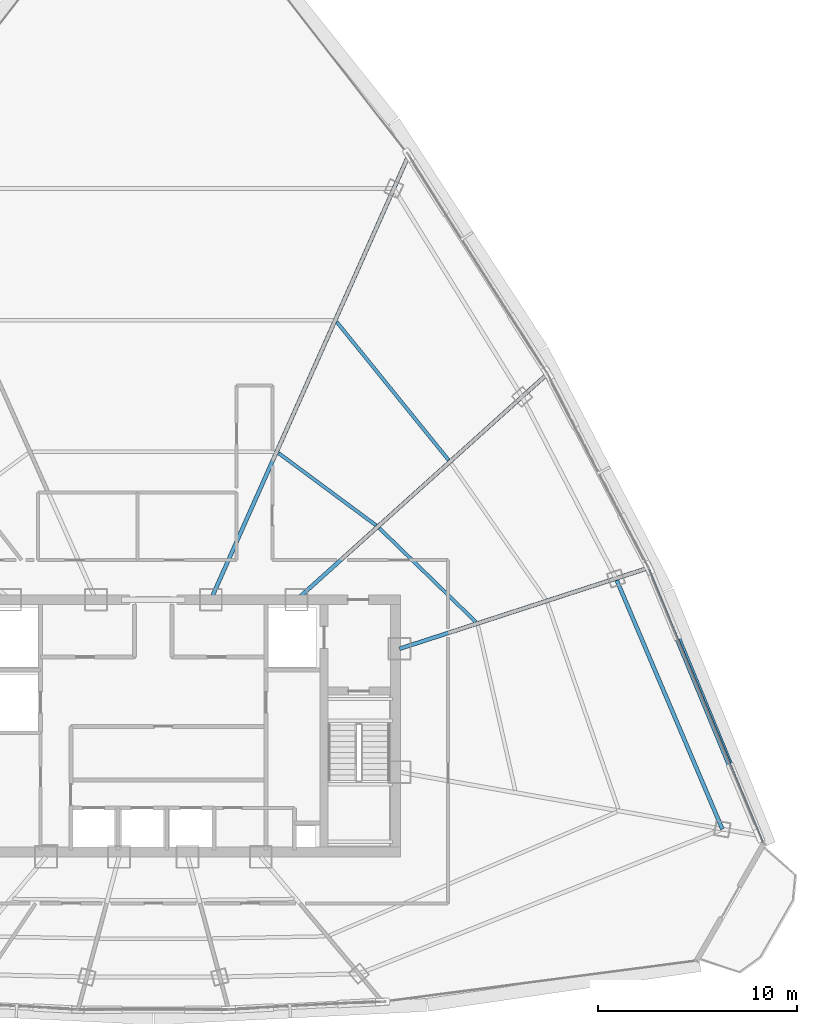
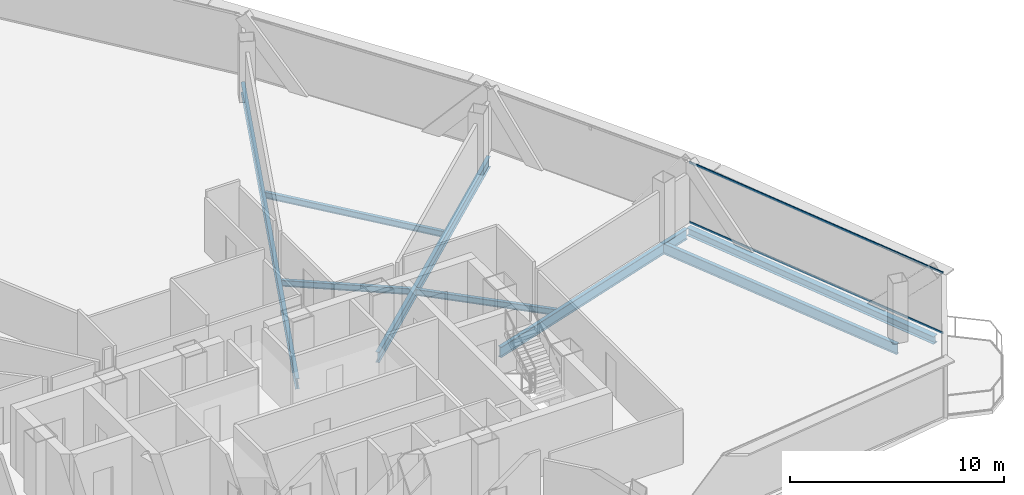
# One storey, part 16 of 35: 8 beams, 2 members, 1 element without a shape of its own.
"""IFC4 building model written with IfcOpenShell, lengths in metres."""

from ifc_helpers import new_model, si_unit, direction, frame, origin, origin_2d, place, context, subcontext, project, spatial, hollow_rectangle, i_section, extrude, source, transform, mapped, material, layer, layer_set, material_profile, profile_set, type_object, element, aggregate, save


model = new_model("IFC4")

# Units and contexts
model_context = context("Model", 3, precision=1e-05, world=origin(), true_north=direction((0.0, 1.0)))
body_context = subcontext(model_context, "Body", "Model", "MODEL_VIEW")
ifc_project = project(units=[si_unit("LENGTHUNIT", "METRE"), si_unit("AREAUNIT", "SQUARE_METRE"), si_unit("VOLUMEUNIT", "CUBIC_METRE"), si_unit("PLANEANGLEUNIT", "RADIAN"), si_unit("MASSUNIT", "GRAM", prefix="KILO"), si_unit("THERMODYNAMICTEMPERATUREUNIT", "KELVIN"), si_unit("POWERUNIT", "WATT")], contexts=[model_context])

# Site, building, storey
site_placement = place(None, origin())
site = spatial("IfcSite", under=ifc_project, at=site_placement, CompositionType="ELEMENT")
building_placement = place(site_placement, origin())
building = spatial("IfcBuilding", under=site, at=building_placement, Name="Yunzhuo Pagoda Commons", CompositionType="ELEMENT")
storey_placement = place(building_placement, frame((0.0, 0.0, 299.93994140625)))
storey = spatial("IfcBuildingStorey", under=building, at=storey_placement, Name="L75", CompositionType="ELEMENT", Elevation=299.93994140625)

# Beams
ifc_material_1 = material(Name="Structural steel Q355B", Category="steel")
ifc_material_profile_1 = material_profile(ifc_material_1, i_section(OverallWidth=0.199951171875, OverallDepth=0.60009765625, WebThickness=0.010986328125, FlangeThickness=0.01708984375, at=origin_2d()), Name="Structural steel Q355B")
ifc_profile_set_1 = profile_set([ifc_material_profile_1], Name="Structural steel Q355B")
beam_type_1 = type_object("IfcBeamType", Name="B-RG3 Beam HN 600x200x11x17", PredefinedType="BEAM", material=ifc_profile_set_1)
shared_shape_1 = source(origin(), body_context, "Body", "SweptSolid", [
    extrude(i_section(OverallWidth=0.199951171875, OverallDepth=0.60009765625, WebThickness=0.010986328125, FlangeThickness=0.01708984375, at=origin_2d()), origin(), (0.0, 0.0, 1.0), 13.715576171875),
])
beam_1_placement = place(storey_placement, frame((76.66162109375, 28.646240234375, -0.56005859375), z_axis=(-0.390733146992, 0.920503996646, 0.0), x_axis=(-0.920503996646, -0.390733146992, 0.0)))
element("IfcBeam", 1, at=beam_1_placement, inside=storey, type_object=beam_type_1, Name="L75 column-ring beam 5", PredefinedType="BEAM", context=body_context, shape_type="MappedRepresentation", body=[
    mapped(shared_shape_1, transform((0.0, 0.0, 0.0), scale=1.0)),
])
ifc_material_profile_2 = material_profile(ifc_material_1, i_section(OverallWidth=0.175048828125, OverallDepth=0.35009765625, WebThickness=0.007080078125, FlangeThickness=0.010986328125, at=origin_2d()), Name="Structural steel Q355B")
ifc_profile_set_2 = profile_set([ifc_material_profile_2], Name="Structural steel Q355B")
beam_type_2 = type_object("IfcBeamType", Name="B-JS2 Joist HN 350x175x7x11", PredefinedType="JOIST", material=ifc_profile_set_2)
shared_shape_2 = source(origin(), body_context, "Body", "SweptSolid", [
    extrude(i_section(OverallWidth=0.175048828125, OverallDepth=0.35009765625, WebThickness=0.007080078125, FlangeThickness=0.010986328125, at=origin_2d()), origin(), (0.0, 0.0, 1.0), 6.767333984375),
])
beam_2_placement = place(storey_placement, frame((64.242431640625, 39.08447265625, -0.43505859375), z_axis=(-0.717207253673, 0.696859925149, 0.0), x_axis=(-0.696859925149, -0.717207253673, 0.0)))
element("IfcBeam", 2, at=beam_2_placement, inside=storey, type_object=beam_type_2, Name="L75 composite ring joist 1.6", PredefinedType="JOIST", context=body_context, shape_type="MappedRepresentation", body=[
    mapped(shared_shape_2, transform((0.0, 0.0, 0.0), scale=1.0)),
])
shared_shape_3 = source(origin(), body_context, "Body", "SweptSolid", [
    extrude(i_section(OverallWidth=0.175048828125, OverallDepth=0.35009765625, WebThickness=0.007080078125, FlangeThickness=0.010986328125, at=origin_2d()), origin(), (0.0, 0.0, 1.0), 6.109619140625),
])
beam_3_placement = place(storey_placement, frame((59.214111328125, 43.948974609375, -0.43505859375), z_axis=(-0.803396474468, 0.595444459888, 0.0), x_axis=(-0.595444459888, -0.803396474468, 0.0)))
element("IfcBeam", 3, at=beam_3_placement, inside=storey, type_object=beam_type_2, Name="L75 composite ring joist 1.7", PredefinedType="JOIST", context=body_context, shape_type="MappedRepresentation", body=[
    mapped(shared_shape_3, transform((0.0, 0.0, 0.0), scale=1.0)),
])
shared_shape_4 = source(origin(), body_context, "Body", "SweptSolid", [
    extrude(i_section(OverallWidth=0.175048828125, OverallDepth=0.35009765625, WebThickness=0.007080078125, FlangeThickness=0.010986328125, at=origin_2d()), origin(), (0.0, 0.0, 1.0), 8.9462890625),
])
beam_4_placement = place(storey_placement, frame((62.867431640625, 47.2412109375, -0.43505859375), z_axis=(-0.629455685791, 0.777036382434, 0.0), x_axis=(-0.777036382434, -0.629455685791, 0.0)))
element("IfcBeam", 4, at=beam_4_placement, inside=storey, type_object=beam_type_2, Name="L75 composite ring joist 2.7", PredefinedType="JOIST", context=body_context, shape_type="MappedRepresentation", body=[
    mapped(shared_shape_4, transform((0.0, 0.0, 0.0), scale=1.0)),
])
shared_shape_5 = source(origin(), body_context, "Body", "SweptSolid", [
    extrude(i_section(OverallWidth=0.199951171875, OverallDepth=0.60009765625, WebThickness=0.010986328125, FlangeThickness=0.01708984375, at=origin_2d()), origin(), (0.0, 0.0, 1.0), 13.040771484375),
])
beam_5_placement = place(storey_placement, frame((72.802490234375, 41.7587890625, -0.56005859375), z_axis=(-0.951057866972, -0.30901283739, 0.0), x_axis=(0.30901283739, -0.951057866972, 0.0)))
element("IfcBeam", 5, at=beam_5_placement, inside=storey, type_object=beam_type_1, Name="L75 radial floor girder F2C2", PredefinedType="BEAM", context=body_context, shape_type="MappedRepresentation", body=[
    mapped(shared_shape_5, transform((0.0, 0.0, 0.0), scale=1.0)),
])
shared_shape_6 = source(origin(), body_context, "Body", "SweptSolid", [
    extrude(i_section(OverallWidth=0.199951171875, OverallDepth=0.60009765625, WebThickness=0.010986328125, FlangeThickness=0.01708984375, at=origin_2d()), origin(), (0.0, 0.0, 1.0), 16.859619140625),
])
beam_6_placement = place(storey_placement, frame((67.748046875, 51.481201171875, -0.56005859375), z_axis=(-0.743143638424, -0.669131924712, 0.0), x_axis=(0.669131924712, -0.743143638424, 0.0)))
element("IfcBeam", 6, at=beam_6_placement, inside=storey, type_object=beam_type_1, Name="L75 radial floor girder F2C3", PredefinedType="BEAM", context=body_context, shape_type="MappedRepresentation", body=[
    mapped(shared_shape_6, transform((0.0, 0.0, 0.0), scale=1.0)),
])
shared_shape_7 = source(origin(), body_context, "Body", "SweptSolid", [
    extrude(i_section(OverallWidth=0.199951171875, OverallDepth=0.60009765625, WebThickness=0.010986328125, FlangeThickness=0.01708984375, at=origin_2d()), origin(), (0.0, 0.0, 1.0), 24.3583984375),
])
beam_7_placement = place(storey_placement, frame((60.801513671875, 62.452392578125, -0.56005859375), z_axis=(-0.406738200999, -0.913544764009, 0.0), x_axis=(0.913544764009, -0.406738200999, 0.0)))
element("IfcBeam", 7, at=beam_7_placement, inside=storey, type_object=beam_type_1, Name="L75 radial floor girder F2C4", PredefinedType="BEAM", context=body_context, shape_type="MappedRepresentation", body=[
    mapped(shared_shape_7, transform((0.0, 0.0, 0.0), scale=1.0)),
])
ifc_material_profile_3 = material_profile(ifc_material_1, i_section(OverallWidth=0.300048828125, OverallDepth=0.43994140625, WebThickness=0.010986328125, FlangeThickness=0.01806640625, at=origin_2d()), Name="Structural steel Q355B")
ifc_profile_set_3 = profile_set([ifc_material_profile_3], Name="Structural steel Q355B")
beam_type_3 = type_object("IfcBeamType", Name="B-SP2 Beam HM 440x300x11x18", PredefinedType="BEAM", material=ifc_profile_set_3)
shared_shape_8 = source(origin(), body_context, "Body", "SweptSolid", [
    extrude(i_section(OverallWidth=0.300048828125, OverallDepth=0.43994140625, WebThickness=0.010986328125, FlangeThickness=0.01806640625, at=origin_2d()), origin(), (0.0, 0.0, 1.0), 14.589599609375),
])
beam_8_placement = place(storey_placement, frame((78.513916015625, 28.319580078125, -0.47998046875), z_axis=(-0.381363277561, 0.92442525416, 0.0), x_axis=(-0.92442525416, -0.381363277561, 0.0)))
element("IfcBeam", 8, at=beam_8_placement, inside=storey, type_object=beam_type_3, Name="L75 facade edge spandrel beam F2.1", PredefinedType="BEAM", context=body_context, shape_type="MappedRepresentation", body=[
    mapped(shared_shape_8, transform((0.0, 0.0, 0.0), scale=1.0)),
])

# Curtain wall, members
ifc_material_2 = material(Name="Anodized aluminium 6063-T6", Category="aluminium")
ifc_layer = layer(ifc_material_2, 0.139892578125)
ifc_layer_set = layer_set([ifc_layer], Name="Anodized aluminium 6063-T6")
curtain_wall_type = type_object("IfcCurtainWallType", Name="CW-HI High-Zone Ribbon Curtain Wall", PredefinedType="NOTDEFINED", material=ifc_layer_set)
curtain_wall_placement = place(storey_placement, origin())
curtain_wall = element("IfcCurtainWall", 9, at=curtain_wall_placement, inside=storey, type_object=curtain_wall_type, Name="L75 curtain wall CW-L75-F2B2", PredefinedType="NOTDEFINED")
ifc_material_profile_4 = material_profile(ifc_material_2, hollow_rectangle(XDim=0.054931640625, YDim=0.1201171875, WallThickness=0.00341796875, at=origin_2d()), Name="Anodized aluminium 6063-T6")
ifc_profile_set_4 = profile_set([ifc_material_profile_4], Name="Anodized aluminium 6063-T6")
member_type = type_object("IfcMemberType", Name="CW-HI-T Transom RHS 120x55x3.5", PredefinedType="USERDEFINED", material=ifc_profile_set_4)
shared_shape_9 = source(origin(), body_context, "Body", "SweptSolid", [
    extrude(hollow_rectangle(XDim=0.054931640625, YDim=0.1201171875, WallThickness=0.00341796875, at=origin_2d()), origin(), (0.0, 0.0, 1.0), 14.939208984375),
])
member_1_placement = place(storey_placement, frame((78.72607421875, 27.964111328125, 0.027587890625), z_axis=(-0.38507485684, 0.922885342082, 0.0), x_axis=(-0.922885342082, -0.38507485684, 0.0)))
member_1 = element("IfcMember", 10, at=member_1_placement, type_object=member_type, Name="CW transom 1.1", ObjectType="TRANSOM", PredefinedType="USERDEFINED", context=body_context, shape_type="MappedRepresentation", body=[
    mapped(shared_shape_9, transform((0.0, 0.0, 0.0), scale=1.0)),
])
member_2_placement = place(storey_placement, frame((78.72607421875, 27.964111328125, 3.442626953125), z_axis=(-0.38507485684, 0.922885342082, 0.0), x_axis=(-0.922885342082, -0.38507485684, 0.0)))
member_2 = element("IfcMember", 11, at=member_2_placement, type_object=member_type, Name="CW transom 1.2", ObjectType="TRANSOM", PredefinedType="USERDEFINED", context=body_context, shape_type="MappedRepresentation", body=[
    mapped(shared_shape_9, transform((0.0, 0.0, 0.0), scale=1.0)),
])
aggregate(curtain_wall, [member_1, member_2])

save(model, "model.ifc")
